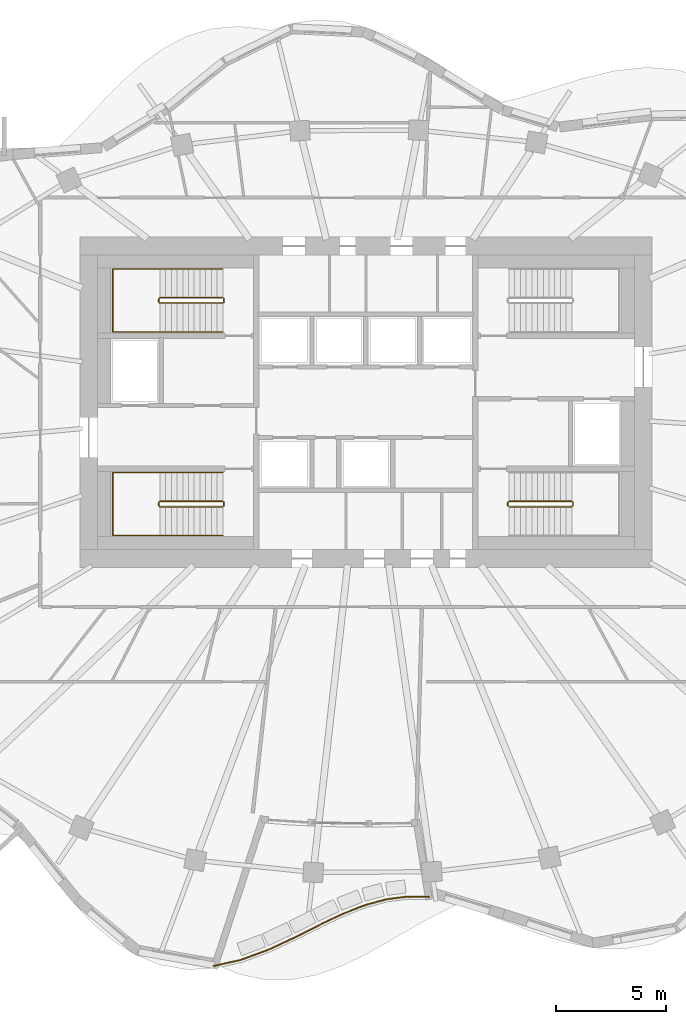
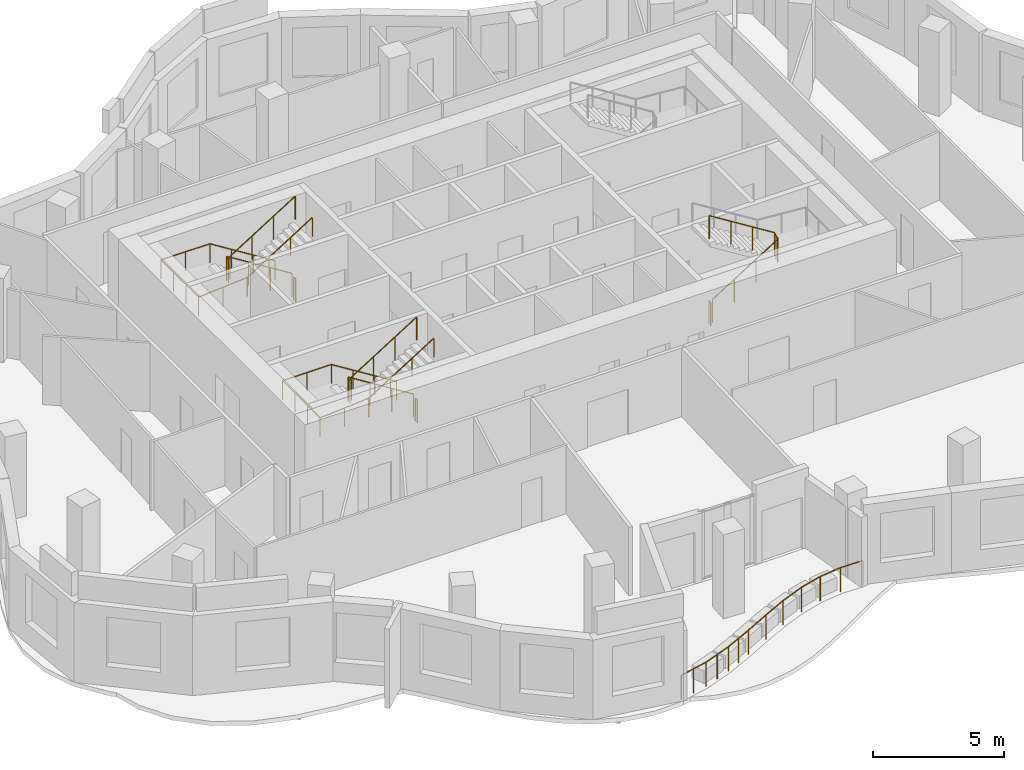
# One storey, part 11 of 12: 9 railings.
"""IFC4 building model written with IfcOpenShell, lengths in metres."""

from ifc_helpers import new_model, si_unit, direction, frame, origin, origin_2d, place, context, subcontext, project, spatial, circle, extrude, material, type_object, element, save


model = new_model("IFC4")

# Units and contexts
model_context = context("Model", 3, precision=1e-05, world=origin(), true_north=direction((0.0, 1.0)))
body_context = subcontext(model_context, "Body", "Model", "MODEL_VIEW")
ifc_project = project(units=[si_unit("LENGTHUNIT", "METRE"), si_unit("AREAUNIT", "SQUARE_METRE"), si_unit("VOLUMEUNIT", "CUBIC_METRE"), si_unit("PLANEANGLEUNIT", "RADIAN"), si_unit("MASSUNIT", "GRAM", prefix="KILO")], contexts=[model_context])

# Site, building, storey
site_placement = place(None, origin())
site = spatial("IfcSite", under=ifc_project, at=site_placement, CompositionType="ELEMENT")
building_placement = place(site_placement, origin())
building = spatial("IfcBuilding", under=site, at=building_placement, Name="Rubra Terraces Tower", CompositionType="ELEMENT")
storey_placement = place(building_placement, frame((0.0, 0.0, 276.60009765625)))
storey = spatial("IfcBuildingStorey", under=building, at=storey_placement, Name="L68", CompositionType="ELEMENT", Elevation=276.60009765625)

# Railings
ifc_material_1 = material(Name="Stainless steel", Category="steel")
railing_type_1 = type_object("IfcRailingType", Name="Core stair guard 1100", PredefinedType="GUARDRAIL", material=ifc_material_1)
railing_1_placement = place(storey_placement, frame((-6.5, 0.0, 0.162353515625)))
element("IfcRailing", 1, at=railing_1_placement, inside=storey, type_object=railing_type_1, Name="L68 stair S1 guard 1", PredefinedType="GUARDRAIL", context=body_context, shape_type="SweptSolid", body=[
    extrude(circle(Radius=0.02392578125, at=origin_2d()), frame((0.0, 0.0, 1.076171875), z_axis=(-0.847994237388, 0.0, 0.530005446535), x_axis=(0.0, -1.0, 0.0)), (0.0, 0.0, 1.0), 3.372802734375),
    extrude(circle(Radius=0.02392578125, at=origin_2d()), frame((-2.860107421875, 0.0, 2.86376953125), z_axis=(-0.705375805398, -0.708833529934, 0.0), x_axis=(0.708833529934, -0.705375805398, 0.0)), (0.0, 0.0, 1.0), 0.070556640625),
    extrude(circle(Radius=0.02392578125, at=origin_2d()), frame((-2.909912109375, -0.050048828125, 2.86376953125), z_axis=(0.0, -1.0, 0.0), x_axis=(1.0, 0.0, 0.0)), (0.0, 0.0, 1.0), 0.14990234375),
    extrude(circle(Radius=0.02392578125, at=origin_2d()), frame((-2.909912109375, -0.199951171875, 2.86376953125), z_axis=(0.281314826061, -0.282693820306, 0.917031173188), x_axis=(0.708833529934, 0.705375805398, 0.0)), (0.0, 0.0, 1.0), 0.177001953125),
    extrude(circle(Radius=0.02392578125, at=origin_2d()), frame((-2.860107421875, -0.25, 3.02587890625), z_axis=(0.847994237388, 0.0, 0.530005446535), x_axis=(0.0, 1.0, 0.0)), (0.0, 0.0, 1.0), 3.372802734375),
    extrude(circle(Radius=0.02099609375, at=origin_2d()), origin(), (0.0, 0.0, 1.0), 1.052001953125),
    extrude(circle(Radius=0.02099609375, at=origin_2d()), frame((-0.953369140625, 0.0, 0.595947265625)), (0.0, 0.0, 1.0), 1.052001953125),
    extrude(circle(Radius=0.02099609375, at=origin_2d()), frame((-1.90673828125, 0.0, 1.191650390625)), (0.0, 0.0, 1.0), 1.052001953125),
    extrude(circle(Radius=0.02099609375, at=origin_2d()), frame((-2.860107421875, 0.0, 1.78759765625)), (0.0, 0.0, 1.0), 1.052001953125),
    extrude(circle(Radius=0.02099609375, at=origin_2d()), frame((-2.909912109375, -0.050048828125, 1.78759765625)), (0.0, 0.0, 1.0), 1.052001953125),
    extrude(circle(Radius=0.02099609375, at=origin_2d()), frame((-2.909912109375, -0.199951171875, 1.78759765625)), (0.0, 0.0, 1.0), 1.052001953125),
    extrude(circle(Radius=0.02099609375, at=origin_2d()), frame((-2.860107421875, -0.25, 1.949951171875)), (0.0, 0.0, 1.0), 1.052001953125),
    extrude(circle(Radius=0.02099609375, at=origin_2d()), frame((-1.90673828125, -0.25, 2.5458984375)), (0.0, 0.0, 1.0), 1.052001953125),
    extrude(circle(Radius=0.02099609375, at=origin_2d()), frame((-0.953369140625, -0.25, 3.1416015625)), (0.0, 0.0, 1.0), 1.052001953125),
    extrude(circle(Radius=0.02099609375, at=origin_2d()), frame((0.0, -0.25, 3.737548828125)), (0.0, 0.0, 1.0), 1.052001953125),
])
railing_2_placement = place(storey_placement, frame((-6.449951171875, -0.050048828125, 0.0)))
element("IfcRailing", 2, at=railing_2_placement, inside=storey, type_object=railing_type_1, Name="L68 stair S1 guard 2", PredefinedType="GUARDRAIL", context=body_context, shape_type="SweptSolid", body=[
    extrude(circle(Radius=0.02392578125, at=origin_2d()), frame((0.0, 0.0, 1.076171875), z_axis=(0.0, -1.0, 0.0), x_axis=(1.0, 0.0, 0.0)), (0.0, 0.0, 1.0), 0.14990234375),
    extrude(circle(Radius=0.02099609375, at=origin_2d()), origin(), (0.0, 0.0, 1.0), 1.052001953125),
    extrude(circle(Radius=0.02099609375, at=origin_2d()), frame((0.0, -0.14990234375, 0.0)), (0.0, 0.0, 1.0), 1.052001953125),
])
railing_3_placement = place(storey_placement, frame((-6.5, 9.25, 0.162353515625)))
element("IfcRailing", 3, at=railing_3_placement, inside=storey, type_object=railing_type_1, Name="L68 stair S2 guard 1", PredefinedType="GUARDRAIL", context=body_context, shape_type="SweptSolid", body=[
    extrude(circle(Radius=0.02392578125, at=origin_2d()), frame((0.0, 0.0, 1.076171875), z_axis=(-0.847994237388, 0.0, 0.530005446535), x_axis=(0.0, -1.0, 0.0)), (0.0, 0.0, 1.0), 3.372802734375),
    extrude(circle(Radius=0.02392578125, at=origin_2d()), frame((-2.860107421875, 0.0, 2.86376953125), z_axis=(-0.705375805398, -0.708833529934, 0.0), x_axis=(0.708833529934, -0.705375805398, 0.0)), (0.0, 0.0, 1.0), 0.070556640625),
    extrude(circle(Radius=0.02392578125, at=origin_2d()), frame((-2.909912109375, -0.050048828125, 2.86376953125), z_axis=(0.0, -1.0, 0.0), x_axis=(1.0, 0.0, 0.0)), (0.0, 0.0, 1.0), 0.14990234375),
    extrude(circle(Radius=0.02392578125, at=origin_2d()), frame((-2.909912109375, -0.199951171875, 2.86376953125), z_axis=(0.281314826061, -0.282693820306, 0.917031173188), x_axis=(0.708833529934, 0.705375805398, 0.0)), (0.0, 0.0, 1.0), 0.177001953125),
    extrude(circle(Radius=0.02392578125, at=origin_2d()), frame((-2.860107421875, -0.25, 3.02587890625), z_axis=(0.847994237388, 0.0, 0.530005446535), x_axis=(0.0, 1.0, 0.0)), (0.0, 0.0, 1.0), 3.372802734375),
    extrude(circle(Radius=0.02099609375, at=origin_2d()), origin(), (0.0, 0.0, 1.0), 1.052001953125),
    extrude(circle(Radius=0.02099609375, at=origin_2d()), frame((-0.953369140625, 0.0, 0.595947265625)), (0.0, 0.0, 1.0), 1.052001953125),
    extrude(circle(Radius=0.02099609375, at=origin_2d()), frame((-1.90673828125, 0.0, 1.191650390625)), (0.0, 0.0, 1.0), 1.052001953125),
    extrude(circle(Radius=0.02099609375, at=origin_2d()), frame((-2.860107421875, 0.0, 1.78759765625)), (0.0, 0.0, 1.0), 1.052001953125),
    extrude(circle(Radius=0.02099609375, at=origin_2d()), frame((-2.909912109375, -0.050048828125, 1.78759765625)), (0.0, 0.0, 1.0), 1.052001953125),
    extrude(circle(Radius=0.02099609375, at=origin_2d()), frame((-2.909912109375, -0.199951171875, 1.78759765625)), (0.0, 0.0, 1.0), 1.052001953125),
    extrude(circle(Radius=0.02099609375, at=origin_2d()), frame((-2.860107421875, -0.25, 1.949951171875)), (0.0, 0.0, 1.0), 1.052001953125),
    extrude(circle(Radius=0.02099609375, at=origin_2d()), frame((-1.90673828125, -0.25, 2.5458984375)), (0.0, 0.0, 1.0), 1.052001953125),
    extrude(circle(Radius=0.02099609375, at=origin_2d()), frame((-0.953369140625, -0.25, 3.1416015625)), (0.0, 0.0, 1.0), 1.052001953125),
    extrude(circle(Radius=0.02099609375, at=origin_2d()), frame((0.0, -0.25, 3.737548828125)), (0.0, 0.0, 1.0), 1.052001953125),
])
railing_4_placement = place(storey_placement, frame((-6.449951171875, 9.199951171875, 0.0)))
element("IfcRailing", 4, at=railing_4_placement, inside=storey, type_object=railing_type_1, Name="L68 stair S2 guard 2", PredefinedType="GUARDRAIL", context=body_context, shape_type="SweptSolid", body=[
    extrude(circle(Radius=0.02392578125, at=origin_2d()), frame((0.0, 0.0, 1.076171875), z_axis=(0.0, -1.0, 0.0), x_axis=(1.0, 0.0, 0.0)), (0.0, 0.0, 1.0), 0.14990234375),
    extrude(circle(Radius=0.02099609375, at=origin_2d()), origin(), (0.0, 0.0, 1.0), 1.052001953125),
    extrude(circle(Radius=0.02099609375, at=origin_2d()), frame((0.0, -0.14990234375, 0.0)), (0.0, 0.0, 1.0), 1.052001953125),
])
railing_5_placement = place(storey_placement, frame((6.5, -0.25, 0.162353515625)))
element("IfcRailing", 5, at=railing_5_placement, inside=storey, type_object=railing_type_1, Name="L68 stair S4 guard 1", PredefinedType="GUARDRAIL", context=body_context, shape_type="SweptSolid", body=[
    extrude(circle(Radius=0.02392578125, at=origin_2d()), frame((0.0, 0.0, 1.076171875), z_axis=(0.847994237388, 0.0, 0.530005446535), x_axis=(0.0, 1.0, 0.0)), (0.0, 0.0, 1.0), 3.372802734375),
    extrude(circle(Radius=0.02392578125, at=origin_2d()), frame((2.860107421875, 0.0, 2.86376953125), z_axis=(0.705375805398, 0.708833529934, 0.0), x_axis=(-0.708833529934, 0.705375805398, 0.0)), (0.0, 0.0, 1.0), 0.070556640625),
    extrude(circle(Radius=0.02392578125, at=origin_2d()), frame((2.909912109375, 0.050048828125, 2.86376953125), z_axis=(0.0, 1.0, 0.0), x_axis=(-1.0, 0.0, 0.0)), (0.0, 0.0, 1.0), 0.14990234375),
    extrude(circle(Radius=0.02392578125, at=origin_2d()), frame((2.909912109375, 0.199951171875, 2.86376953125), z_axis=(-0.281314826061, 0.282693820306, 0.917031173188), x_axis=(-0.708833529934, -0.705375805398, 0.0)), (0.0, 0.0, 1.0), 0.177001953125),
    extrude(circle(Radius=0.02392578125, at=origin_2d()), frame((2.860107421875, 0.25, 3.02587890625), z_axis=(-0.847994237388, 0.0, 0.530005446535), x_axis=(0.0, -1.0, 0.0)), (0.0, 0.0, 1.0), 3.372802734375),
    extrude(circle(Radius=0.02099609375, at=origin_2d()), origin(), (0.0, 0.0, 1.0), 1.052001953125),
    extrude(circle(Radius=0.02099609375, at=origin_2d()), frame((0.953369140625, 0.0, 0.595947265625)), (0.0, 0.0, 1.0), 1.052001953125),
    extrude(circle(Radius=0.02099609375, at=origin_2d()), frame((1.90673828125, 0.0, 1.191650390625)), (0.0, 0.0, 1.0), 1.052001953125),
    extrude(circle(Radius=0.02099609375, at=origin_2d()), frame((2.860107421875, 0.0, 1.78759765625)), (0.0, 0.0, 1.0), 1.052001953125),
    extrude(circle(Radius=0.02099609375, at=origin_2d()), frame((2.909912109375, 0.050048828125, 1.78759765625)), (0.0, 0.0, 1.0), 1.052001953125),
    extrude(circle(Radius=0.02099609375, at=origin_2d()), frame((2.909912109375, 0.199951171875, 1.78759765625)), (0.0, 0.0, 1.0), 1.052001953125),
    extrude(circle(Radius=0.02099609375, at=origin_2d()), frame((2.860107421875, 0.25, 1.949951171875)), (0.0, 0.0, 1.0), 1.052001953125),
    extrude(circle(Radius=0.02099609375, at=origin_2d()), frame((1.90673828125, 0.25, 2.5458984375)), (0.0, 0.0, 1.0), 1.052001953125),
    extrude(circle(Radius=0.02099609375, at=origin_2d()), frame((0.953369140625, 0.25, 3.1416015625)), (0.0, 0.0, 1.0), 1.052001953125),
    extrude(circle(Radius=0.02099609375, at=origin_2d()), frame((0.0, 0.25, 3.737548828125)), (0.0, 0.0, 1.0), 1.052001953125),
])
railing_6_placement = place(storey_placement, frame((6.449951171875, -0.199951171875, 0.0)))
element("IfcRailing", 6, at=railing_6_placement, inside=storey, type_object=railing_type_1, Name="L68 stair S4 guard 2", PredefinedType="GUARDRAIL", context=body_context, shape_type="SweptSolid", body=[
    extrude(circle(Radius=0.02392578125, at=origin_2d()), frame((0.0, 0.0, 1.076171875), z_axis=(0.0, 1.0, 0.0), x_axis=(-1.0, 0.0, 0.0)), (0.0, 0.0, 1.0), 0.14990234375),
    extrude(circle(Radius=0.02099609375, at=origin_2d()), origin(), (0.0, 0.0, 1.0), 1.052001953125),
    extrude(circle(Radius=0.02099609375, at=origin_2d()), frame((0.0, 0.14990234375, 0.0)), (0.0, 0.0, 1.0), 1.052001953125),
])
railing_type_2 = type_object("IfcRailingType", Name="Core stair handrail 900", PredefinedType="HANDRAIL", material=ifc_material_1)
railing_7_placement = place(storey_placement, frame((-6.5, 1.300048828125, 0.162353515625)))
element("IfcRailing", 7, at=railing_7_placement, inside=storey, type_object=railing_type_2, Name="L68 stair S1 handrail 1", PredefinedType="HANDRAIL", context=body_context, shape_type="SweptSolid", body=[
    extrude(circle(Radius=0.02392578125, at=origin_2d()), frame((0.0, 0.0, 0.8759765625), z_axis=(-0.847994237388, 0.0, 0.530005446535), x_axis=(0.0, -1.0, 0.0)), (0.0, 0.0, 1.0), 3.372802734375),
    extrude(circle(Radius=0.02392578125, at=origin_2d()), frame((-2.860107421875, 0.0, 2.66357421875), z_axis=(-1.0, 0.0, 0.0), x_axis=(0.0, -1.0, 0.0)), (0.0, 0.0, 1.0), 2.139892578125),
    extrude(circle(Radius=0.02392578125, at=origin_2d()), frame((-5.0, 0.0, 2.66357421875), z_axis=(0.0, -1.0, 0.0), x_axis=(1.0, 0.0, 0.0)), (0.0, 0.0, 1.0), 2.85009765625),
    extrude(circle(Radius=0.02392578125, at=origin_2d()), frame((-5.0, -2.85009765625, 2.66357421875), z_axis=(0.9971342424, 0.0, 0.075652512401), x_axis=(0.0, 1.0, 0.0)), (0.0, 0.0, 1.0), 2.14599609375),
    extrude(circle(Radius=0.02392578125, at=origin_2d()), frame((-2.860107421875, -2.85009765625, 2.82568359375), z_axis=(0.847994237388, 0.0, 0.530005446535), x_axis=(0.0, 1.0, 0.0)), (0.0, 0.0, 1.0), 3.372802734375),
    extrude(circle(Radius=0.02099609375, at=origin_2d()), origin(), (0.0, 0.0, 1.0), 0.851806640625),
    extrude(circle(Radius=0.02099609375, at=origin_2d()), frame((-0.953369140625, 0.0, 0.595947265625)), (0.0, 0.0, 1.0), 0.851806640625),
    extrude(circle(Radius=0.02099609375, at=origin_2d()), frame((-1.90673828125, 0.0, 1.191650390625)), (0.0, 0.0, 1.0), 0.851806640625),
    extrude(circle(Radius=0.02099609375, at=origin_2d()), frame((-2.860107421875, 0.0, 1.78759765625)), (0.0, 0.0, 1.0), 0.851806640625),
    extrude(circle(Radius=0.02099609375, at=origin_2d()), frame((-3.93017578125, 0.0, 1.78759765625)), (0.0, 0.0, 1.0), 0.851806640625),
    extrude(circle(Radius=0.02099609375, at=origin_2d()), frame((-5.0, 0.0, 1.78759765625)), (0.0, 0.0, 1.0), 0.851806640625),
    extrude(circle(Radius=0.02099609375, at=origin_2d()), frame((-5.0, -0.949951171875, 1.78759765625)), (0.0, 0.0, 1.0), 0.851806640625),
    extrude(circle(Radius=0.02099609375, at=origin_2d()), frame((-5.0, -1.900146484375, 1.78759765625)), (0.0, 0.0, 1.0), 0.851806640625),
    extrude(circle(Radius=0.02099609375, at=origin_2d()), frame((-5.0, -2.85009765625, 1.78759765625)), (0.0, 0.0, 1.0), 0.851806640625),
    extrude(circle(Radius=0.02099609375, at=origin_2d()), frame((-3.93017578125, -2.85009765625, 1.86865234375)), (0.0, 0.0, 1.0), 0.851806640625),
    extrude(circle(Radius=0.02099609375, at=origin_2d()), frame((-2.860107421875, -2.85009765625, 1.949951171875)), (0.0, 0.0, 1.0), 0.851806640625),
    extrude(circle(Radius=0.02099609375, at=origin_2d()), frame((-1.90673828125, -2.85009765625, 2.5458984375)), (0.0, 0.0, 1.0), 0.851806640625),
    extrude(circle(Radius=0.02099609375, at=origin_2d()), frame((-0.953369140625, -2.85009765625, 3.1416015625)), (0.0, 0.0, 1.0), 0.851806640625),
    extrude(circle(Radius=0.02099609375, at=origin_2d()), frame((0.0, -2.85009765625, 3.737548828125)), (0.0, 0.0, 1.0), 0.851806640625),
])
railing_8_placement = place(storey_placement, frame((-6.5, 10.550048828125, 0.162353515625)))
element("IfcRailing", 8, at=railing_8_placement, inside=storey, type_object=railing_type_2, Name="L68 stair S2 handrail 1", PredefinedType="HANDRAIL", context=body_context, shape_type="SweptSolid", body=[
    extrude(circle(Radius=0.02392578125, at=origin_2d()), frame((0.0, 0.0, 0.8759765625), z_axis=(-0.847994237388, 0.0, 0.530005446535), x_axis=(0.0, -1.0, 0.0)), (0.0, 0.0, 1.0), 3.372802734375),
    extrude(circle(Radius=0.02392578125, at=origin_2d()), frame((-2.860107421875, 0.0, 2.66357421875), z_axis=(-1.0, 0.0, 0.0), x_axis=(0.0, -1.0, 0.0)), (0.0, 0.0, 1.0), 2.139892578125),
    extrude(circle(Radius=0.02392578125, at=origin_2d()), frame((-5.0, 0.0, 2.66357421875), z_axis=(0.0, -1.0, 0.0), x_axis=(1.0, 0.0, 0.0)), (0.0, 0.0, 1.0), 2.85009765625),
    extrude(circle(Radius=0.02392578125, at=origin_2d()), frame((-5.0, -2.85009765625, 2.66357421875), z_axis=(0.9971342424, 0.0, 0.075652512401), x_axis=(0.0, 1.0, 0.0)), (0.0, 0.0, 1.0), 2.14599609375),
    extrude(circle(Radius=0.02392578125, at=origin_2d()), frame((-2.860107421875, -2.85009765625, 2.82568359375), z_axis=(0.847994237388, 0.0, 0.530005446535), x_axis=(0.0, 1.0, 0.0)), (0.0, 0.0, 1.0), 3.372802734375),
    extrude(circle(Radius=0.02099609375, at=origin_2d()), origin(), (0.0, 0.0, 1.0), 0.851806640625),
    extrude(circle(Radius=0.02099609375, at=origin_2d()), frame((-0.953369140625, 0.0, 0.595947265625)), (0.0, 0.0, 1.0), 0.851806640625),
    extrude(circle(Radius=0.02099609375, at=origin_2d()), frame((-1.90673828125, 0.0, 1.191650390625)), (0.0, 0.0, 1.0), 0.851806640625),
    extrude(circle(Radius=0.02099609375, at=origin_2d()), frame((-2.860107421875, 0.0, 1.78759765625)), (0.0, 0.0, 1.0), 0.851806640625),
    extrude(circle(Radius=0.02099609375, at=origin_2d()), frame((-3.93017578125, 0.0, 1.78759765625)), (0.0, 0.0, 1.0), 0.851806640625),
    extrude(circle(Radius=0.02099609375, at=origin_2d()), frame((-5.0, 0.0, 1.78759765625)), (0.0, 0.0, 1.0), 0.851806640625),
    extrude(circle(Radius=0.02099609375, at=origin_2d()), frame((-5.0, -0.949951171875, 1.78759765625)), (0.0, 0.0, 1.0), 0.851806640625),
    extrude(circle(Radius=0.02099609375, at=origin_2d()), frame((-5.0, -1.900146484375, 1.78759765625)), (0.0, 0.0, 1.0), 0.851806640625),
    extrude(circle(Radius=0.02099609375, at=origin_2d()), frame((-5.0, -2.85009765625, 1.78759765625)), (0.0, 0.0, 1.0), 0.851806640625),
    extrude(circle(Radius=0.02099609375, at=origin_2d()), frame((-3.93017578125, -2.85009765625, 1.86865234375)), (0.0, 0.0, 1.0), 0.851806640625),
    extrude(circle(Radius=0.02099609375, at=origin_2d()), frame((-2.860107421875, -2.85009765625, 1.949951171875)), (0.0, 0.0, 1.0), 0.851806640625),
    extrude(circle(Radius=0.02099609375, at=origin_2d()), frame((-1.90673828125, -2.85009765625, 2.5458984375)), (0.0, 0.0, 1.0), 0.851806640625),
    extrude(circle(Radius=0.02099609375, at=origin_2d()), frame((-0.953369140625, -2.85009765625, 3.1416015625)), (0.0, 0.0, 1.0), 0.851806640625),
    extrude(circle(Radius=0.02099609375, at=origin_2d()), frame((0.0, -2.85009765625, 3.737548828125)), (0.0, 0.0, 1.0), 0.851806640625),
])
ifc_material_2 = material(Name="Steel, powder-coated dark grey", Category="steel")
railing_type_3 = type_object("IfcRailingType", Name="Terrace guard 1150", PredefinedType="GUARDRAIL", material=ifc_material_2)
railing_9_placement = place(storey_placement, frame((-6.925048828125, -21.115966796875, 0.0)))
element("IfcRailing", 9, at=railing_9_placement, inside=storey, type_object=railing_type_3, Name="Terrace guard L68", PredefinedType="GUARDRAIL", context=body_context, shape_type="SweptSolid", body=[
    extrude(circle(Radius=0.02392578125, at=origin_2d()), frame((0.0, 0.0, 1.1259765625), z_axis=(0.976231615852, 0.216729859991, 0.0), x_axis=(-0.216729859991, 0.976231615852, 0.0)), (0.0, 0.0, 1.0), 1.28857421875),
    extrude(circle(Radius=0.02392578125, at=origin_2d()), frame((1.258056640625, 0.279296875, 1.1259765625), z_axis=(0.937499240459, 0.347987318934, 0.0), x_axis=(-0.347987318934, 0.937499240459, 0.0)), (0.0, 0.0, 1.0), 1.3232421875),
    extrude(circle(Radius=0.02392578125, at=origin_2d()), frame((2.49853515625, 0.73974609375, 1.1259765625), z_axis=(0.90541323393, 0.424531360236, 0.0), x_axis=(-0.424531360236, 0.90541323393, 0.0)), (0.0, 0.0, 1.0), 1.347412109375),
    extrude(circle(Radius=0.02392578125, at=origin_2d()), frame((3.718505859375, 1.311767578125, 1.1259765625), z_axis=(0.893074004947, 0.449909792833, 0.0), x_axis=(-0.449909792833, 0.893074004947, 0.0)), (0.0, 0.0, 1.0), 1.1943359375),
    extrude(circle(Radius=0.02392578125, at=origin_2d()), frame((4.78515625, 1.84912109375, 1.1259765625), z_axis=(0.902059603051, 0.431611483331, 0.0), x_axis=(-0.431611483331, 0.902059603051, 0.0)), (0.0, 0.0, 1.0), 1.1630859375),
    extrude(circle(Radius=0.02392578125, at=origin_2d()), frame((5.834228515625, 2.35107421875, 1.1259765625), z_axis=(0.930053820057, 0.367423314173, 0.0), x_axis=(-0.367423314173, 0.930053820057, 0.0)), (0.0, 0.0, 1.0), 1.12548828125),
    extrude(circle(Radius=0.02392578125, at=origin_2d()), frame((6.881103515625, 2.7646484375, 1.1259765625), z_axis=(0.965323964066, 0.261054868563, 0.0), x_axis=(-0.261054868563, 0.965323964066, 0.0)), (0.0, 0.0, 1.0), 1.011962890625),
    extrude(circle(Radius=0.02392578125, at=origin_2d()), frame((7.85791015625, 3.02880859375, 1.1259765625), z_axis=(0.991618517167, 0.12920029571, 0.0), x_axis=(-0.12920029571, 0.991618517167, 0.0)), (0.0, 0.0, 1.0), 0.97705078125),
    extrude(circle(Radius=0.02392578125, at=origin_2d()), frame((8.82666015625, 3.155029296875, 1.1259765625), z_axis=(0.999806462189, -0.019673285583, 0.0), x_axis=(0.019673285583, 0.999806462189, 0.0)), (0.0, 0.0, 1.0), 0.968017578125),
    extrude(circle(Radius=0.02099609375, at=origin_2d()), origin(), (0.0, 0.0, 1.0), 1.101806640625),
    extrude(circle(Radius=0.02099609375, at=origin_2d()), frame((0.62890625, 0.1396484375, 0.0)), (0.0, 0.0, 1.0), 1.101806640625),
    extrude(circle(Radius=0.02099609375, at=origin_2d()), frame((1.258056640625, 0.279296875, 0.0)), (0.0, 0.0, 1.0), 1.101806640625),
    extrude(circle(Radius=0.02099609375, at=origin_2d()), frame((1.87841796875, 0.509521484375, 0.0)), (0.0, 0.0, 1.0), 1.101806640625),
    extrude(circle(Radius=0.02099609375, at=origin_2d()), frame((2.49853515625, 0.73974609375, 0.0)), (0.0, 0.0, 1.0), 1.101806640625),
    extrude(circle(Radius=0.02099609375, at=origin_2d()), frame((3.1083984375, 1.02587890625, 0.0)), (0.0, 0.0, 1.0), 1.101806640625),
    extrude(circle(Radius=0.02099609375, at=origin_2d()), frame((3.718505859375, 1.311767578125, 0.0)), (0.0, 0.0, 1.0), 1.101806640625),
    extrude(circle(Radius=0.02099609375, at=origin_2d()), frame((4.78515625, 1.84912109375, 0.0)), (0.0, 0.0, 1.0), 1.101806640625),
    extrude(circle(Radius=0.02099609375, at=origin_2d()), frame((5.834228515625, 2.35107421875, 0.0)), (0.0, 0.0, 1.0), 1.101806640625),
    extrude(circle(Radius=0.02099609375, at=origin_2d()), frame((6.881103515625, 2.7646484375, 0.0)), (0.0, 0.0, 1.0), 1.101806640625),
    extrude(circle(Radius=0.02099609375, at=origin_2d()), frame((7.85791015625, 3.02880859375, 0.0)), (0.0, 0.0, 1.0), 1.101806640625),
    extrude(circle(Radius=0.02099609375, at=origin_2d()), frame((8.82666015625, 3.155029296875, 0.0)), (0.0, 0.0, 1.0), 1.101806640625),
    extrude(circle(Radius=0.02099609375, at=origin_2d()), frame((9.79443359375, 3.135986328125, 0.0)), (0.0, 0.0, 1.0), 1.101806640625),
])

save(model, "model.ifc")
